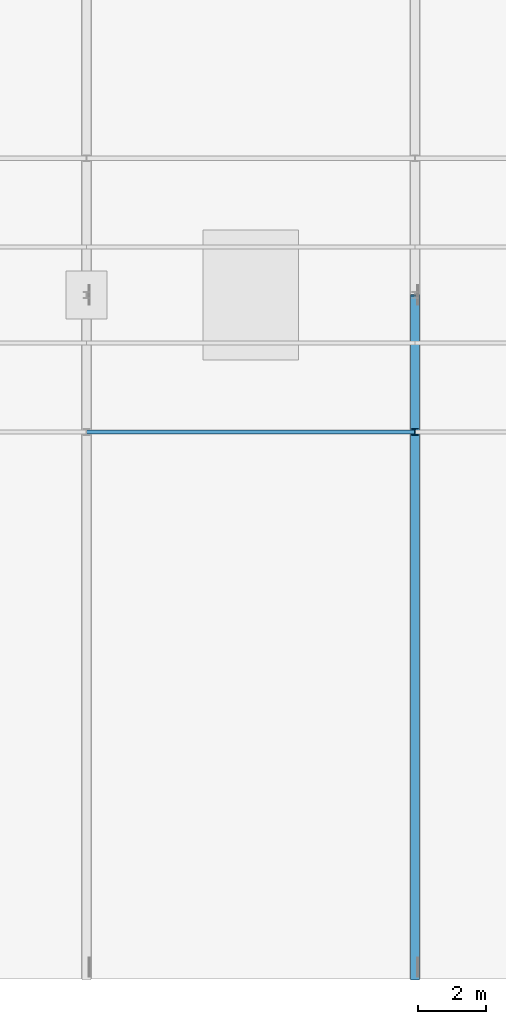
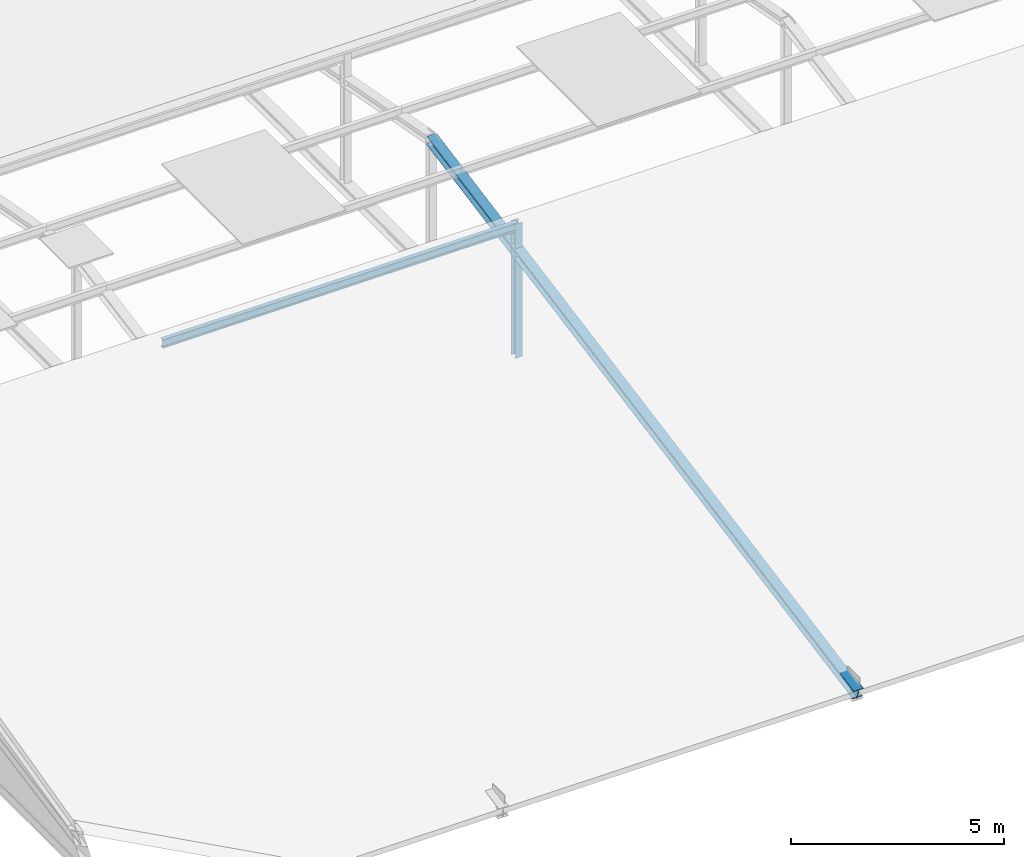
# One storey, part 22 of 73: 2 members, 1 beam.
"""IFC4 building model written with IfcOpenShell, lengths in metres."""

from ifc_helpers import new_model, si_unit, direction, frame, origin, origin_2d, place, context, subcontext, project, spatial, i_section, extrude, material, material_profile, profile_set, type_object, element, save


model = new_model("IFC4")

# Units and contexts
model_context = context("Model", 3, precision=1e-05, world=origin(), true_north=direction((0.0, 1.0)))
body_context = subcontext(model_context, "Body", "Model", "MODEL_VIEW")
ifc_project = project(units=[si_unit("LENGTHUNIT", "METRE"), si_unit("AREAUNIT", "SQUARE_METRE"), si_unit("VOLUMEUNIT", "CUBIC_METRE"), si_unit("PLANEANGLEUNIT", "RADIAN"), si_unit("MASSUNIT", "GRAM", prefix="KILO")], contexts=[model_context])

# Site, building, storey
site_placement = place(None, origin())
site = spatial("IfcSite", under=ifc_project, at=site_placement, CompositionType="ELEMENT")
building_placement = place(site_placement, origin())
building = spatial("IfcBuilding", under=site, at=building_placement, Name="Alderhovde Museum", CompositionType="ELEMENT")
storey_placement = place(building_placement, frame((0.0, 0.0, 17.39990234375)))
storey = spatial("IfcBuildingStorey", under=building, at=storey_placement, Name="L04", CompositionType="ELEMENT", Elevation=17.39990234375)

# Beam
ifc_material_1 = material(Name="Steel S355J2", Category="steel")
ifc_material_profile_1 = material_profile(ifc_material_1, i_section(OverallWidth=0.1201171875, OverallDepth=0.239990234375, WebThickness=0.006103515625, FlangeThickness=0.009765625, FilletRadius=0.014892578125, at=origin_2d()), Name="IPE 240")
ifc_profile_set_1 = profile_set([ifc_material_profile_1], Name="Steel S355J2")
beam_type = type_object("IfcBeamType", Name="BM-IPE240", PredefinedType="BEAM", material=ifc_profile_set_1)
beam_placement = place(storey_placement, frame((86.39990234375, 48.0, 3.840087890625), z_axis=(1.0, 0.0, 0.0), x_axis=(0.0, 1.0, 0.0)))
element("IfcBeam", 1, at=beam_placement, inside=storey, type_object=beam_type, Name="Atrium Ridge Bearer Y=48", PredefinedType="BEAM", context=body_context, shape_type="SweptSolid", body=[
    extrude(i_section(OverallWidth=0.1201171875, OverallDepth=0.239990234375, WebThickness=0.006103515625, FlangeThickness=0.009765625, FilletRadius=0.014892578125, at=origin_2d()), origin(), (0.0, 0.0, 1.0), 9.60009765625),
])

# Members
ifc_material_2 = material(Name="Steel S355J2", Category="steel")
ifc_material_profile_2 = material_profile(ifc_material_2, i_section(OverallWidth=0.260009765625, OverallDepth=0.25, WebThickness=0.007568359375, FlangeThickness=0.012451171875, FilletRadius=0.02392578125, at=origin_2d()), Name="HEA 260")
ifc_profile_set_2 = profile_set([ifc_material_profile_2], Name="Steel S355J2")
member_type_1 = type_object("IfcMemberType", Name="TR-CH-HEA260", PredefinedType="CHORD", material=ifc_profile_set_2)
member_1_placement = place(storey_placement, frame((96.0, 32.0, 0.150146484375), z_axis=(0.0, 0.982872186934, 0.18428853505), x_axis=(-1.0, 0.0, 0.0)))
element("IfcMember", 2, at=member_1_placement, inside=storey, type_object=member_type_1, Name="Atrium Truss X=96.0 South Rafter", PredefinedType="CHORD", context=body_context, shape_type="SweptSolid", body=[
    extrude(i_section(OverallWidth=0.260009765625, OverallDepth=0.25, WebThickness=0.007568359375, FlangeThickness=0.012451171875, FilletRadius=0.02392578125, at=origin_2d()), origin(), (0.0, 0.0, 1.0), 20.3486328125),
])
ifc_material_3 = material(Name="Steel S355J2", Category="steel")
ifc_material_profile_3 = material_profile(ifc_material_3, i_section(OverallWidth=0.199951171875, OverallDepth=0.18994140625, WebThickness=0.006591796875, FlangeThickness=0.010009765625, FilletRadius=0.01806640625, at=origin_2d()), Name="HEA 200")
ifc_profile_set_3 = profile_set([ifc_material_profile_3], Name="Steel S355J2")
member_type_2 = type_object("IfcMemberType", Name="TR-PS-HEA200", PredefinedType="POST", material=ifc_profile_set_3)
member_2_placement = place(storey_placement, frame((96.0, 48.0, 0.1201171875), z_axis=(0.0, 0.0, 1.0), x_axis=(1.0, 0.0, 0.0)))
element("IfcMember", 3, at=member_2_placement, inside=storey, type_object=member_type_2, Name="Atrium Truss X=96.0 Post P1", PredefinedType="POST", context=body_context, shape_type="SweptSolid", body=[
    extrude(i_section(OverallWidth=0.199951171875, OverallDepth=0.18994140625, WebThickness=0.006591796875, FlangeThickness=0.010009765625, FilletRadius=0.01806640625, at=origin_2d()), origin(), (0.0, 0.0, 1.0), 3.840087890625),
])

save(model, "model.ifc")
